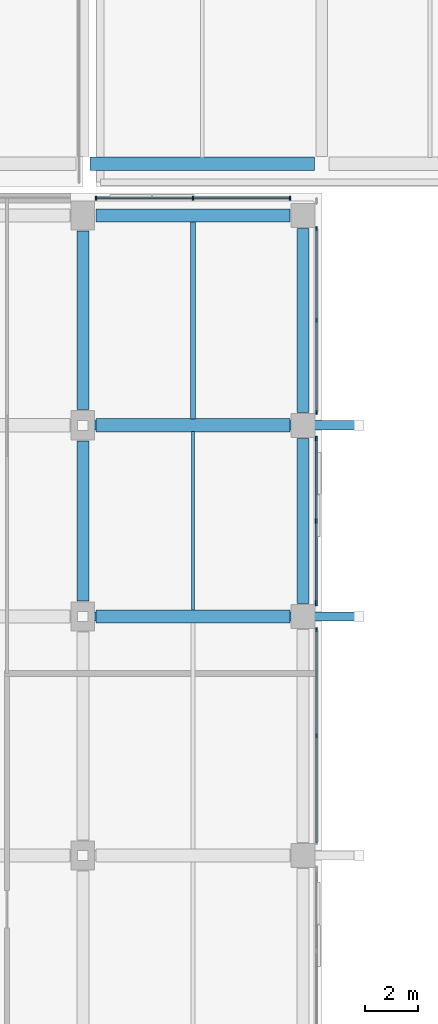
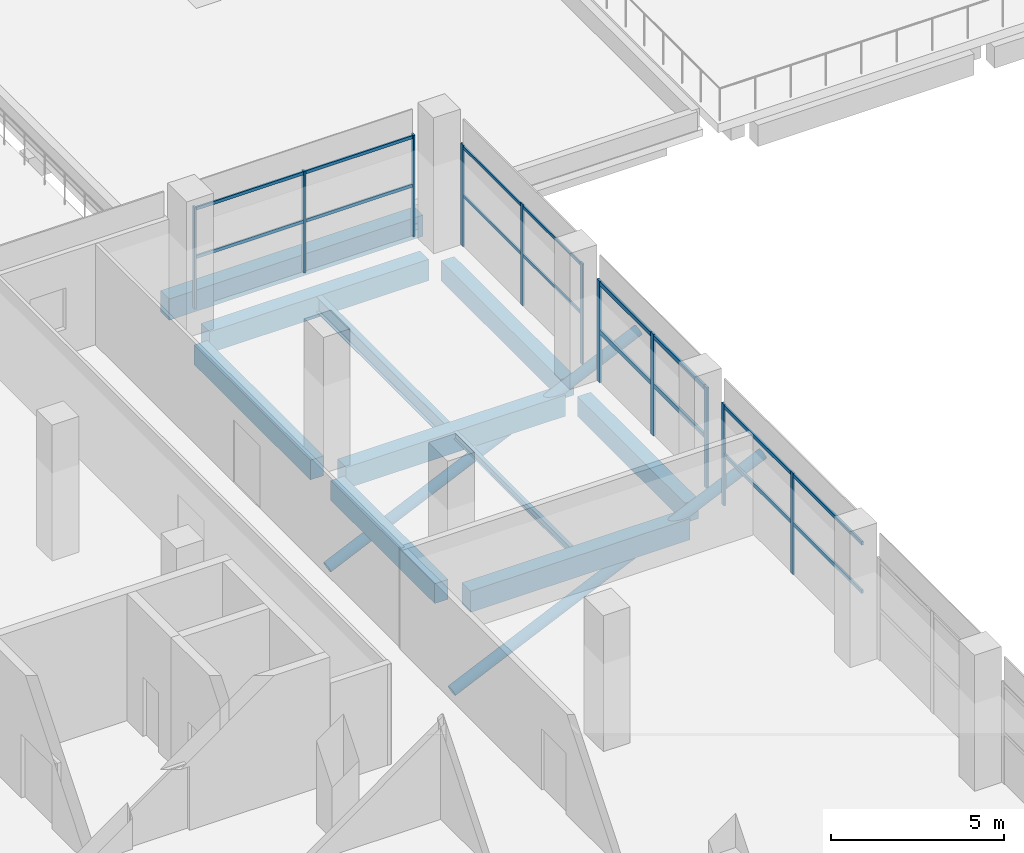
# One storey, part 22 of 82: 21 members, 10 beams, 4 elements without a shape of their own.
"""IFC4 building model written with IfcOpenShell, lengths in metres."""

from ifc_helpers import new_model, si_unit, direction, frame, origin, origin_2d, place, context, subcontext, project, spatial, rectangle, hollow_circle, i_section, extrude, material, material_profile, profile_set, type_object, element, aggregate, save


model = new_model("IFC4")

# Units and contexts
model_context = context("Model", 3, precision=1e-05, world=origin(), true_north=direction((0.0, 1.0)))
body_context = subcontext(model_context, "Body", "Model", "MODEL_VIEW")
ifc_project = project(units=[si_unit("LENGTHUNIT", "METRE"), si_unit("AREAUNIT", "SQUARE_METRE"), si_unit("VOLUMEUNIT", "CUBIC_METRE"), si_unit("PLANEANGLEUNIT", "RADIAN"), si_unit("MASSUNIT", "GRAM", prefix="KILO"), si_unit("THERMODYNAMICTEMPERATUREUNIT", "KELVIN"), si_unit("POWERUNIT", "WATT")], contexts=[model_context])

# Site, building, storey
site_placement = place(None, origin())
site = spatial("IfcSite", under=ifc_project, at=site_placement, CompositionType="ELEMENT")
building_placement = place(site_placement, origin())
building = spatial("IfcBuilding", under=site, at=building_placement, Name="Sindhuravela Promenade Stadium", CompositionType="ELEMENT")
storey_placement = place(building_placement, frame((0.0, 0.0, 14.39990234375)))
storey = spatial("IfcBuildingStorey", under=building, at=storey_placement, Name="L03", CompositionType="ELEMENT", Elevation=14.39990234375)

# Curtain wall, members
ifc_material_1 = material(Name="Anodised architectural aluminium 6063-T6", Category="aluminium")
curtain_wall_type_1 = type_object("IfcCurtainWallType", Name="CW-MOD-5", PredefinedType="NOTDEFINED", material=ifc_material_1)
curtain_wall_1_placement = place(storey_placement, origin())
curtain_wall_1 = element("IfcCurtainWall", 1, at=curtain_wall_1_placement, inside=storey, type_object=curtain_wall_type_1, Name="Bronze curtain wall CW-WEST-L03-036", PredefinedType="NOTDEFINED")
ifc_material_profile_1 = material_profile(ifc_material_1, rectangle(XDim=0.074951171875, YDim=0.175048828125, at=origin_2d()), Name="ALU MULL 75x175")
ifc_profile_set_1 = profile_set([ifc_material_profile_1], Name="Anodised architectural aluminium 6063-T6")
member_type_1 = type_object("IfcMemberType", Name="CW-MUL-1", PredefinedType="MULLION", material=ifc_profile_set_1)
member_1_placement = place(storey_placement, frame((44.800048828125, 116.5, 0.0), z_axis=(0.0, 0.0, 1.0), x_axis=(1.0, 0.0, 0.0)))
member_1 = element("IfcMember", 2, at=member_1_placement, type_object=member_type_1, Name="Curtain wall mullion CW-WEST-L03-036-M1", PredefinedType="MULLION", context=body_context, shape_type="SweptSolid", body=[
    extrude(rectangle(XDim=0.074951171875, YDim=0.175048828125, at=origin_2d()), origin(), (0.0, 0.0, 1.0), 3.580078125),
])
member_2_placement = place(storey_placement, frame((44.800048828125, 113.39990234375, 0.0), z_axis=(0.0, 0.0, 1.0), x_axis=(1.0, 0.0, 0.0)))
member_2 = element("IfcMember", 3, at=member_2_placement, type_object=member_type_1, Name="Curtain wall mullion CW-WEST-L03-036-M2", PredefinedType="MULLION", context=body_context, shape_type="SweptSolid", body=[
    extrude(rectangle(XDim=0.074951171875, YDim=0.175048828125, at=origin_2d()), origin(), (0.0, 0.0, 1.0), 3.580078125),
])
member_3_placement = place(storey_placement, frame((44.800048828125, 110.300048828125, 0.0), z_axis=(0.0, 0.0, 1.0), x_axis=(1.0, 0.0, 0.0)))
member_3 = element("IfcMember", 4, at=member_3_placement, type_object=member_type_1, Name="Curtain wall mullion CW-WEST-L03-036-M3", PredefinedType="MULLION", context=body_context, shape_type="SweptSolid", body=[
    extrude(rectangle(XDim=0.074951171875, YDim=0.175048828125, at=origin_2d()), origin(), (0.0, 0.0, 1.0), 3.580078125),
])

curtain_wall_type_2 = type_object("IfcCurtainWallType", Name="CW-MOD-6", PredefinedType="NOTDEFINED", material=ifc_material_1)
curtain_wall_2_placement = place(storey_placement, origin())
curtain_wall_2 = element("IfcCurtainWall", 5, at=curtain_wall_2_placement, inside=storey, type_object=curtain_wall_type_2, Name="Bronze curtain wall CW-WEST-L03-037", PredefinedType="NOTDEFINED")
ifc_material_profile_2 = material_profile(ifc_material_1, rectangle(XDim=0.06494140625, YDim=0.14990234375, at=origin_2d()), Name="ALU MULL 65x150")
ifc_profile_set_2 = profile_set([ifc_material_profile_2], Name="Anodised architectural aluminium 6063-T6")
member_type_2 = type_object("IfcMemberType", Name="CW-MUL-2", PredefinedType="MULLION", material=ifc_profile_set_2)
member_4_placement = place(storey_placement, frame((44.800048828125, 109.300048828125, 0.0), z_axis=(0.0, 0.0, 1.0), x_axis=(1.0, 0.0, 0.0)))
member_4 = element("IfcMember", 6, at=member_4_placement, type_object=member_type_2, Name="Curtain wall mullion CW-WEST-L03-037-M1", PredefinedType="MULLION", context=body_context, shape_type="SweptSolid", body=[
    extrude(rectangle(XDim=0.06494140625, YDim=0.14990234375, at=origin_2d()), origin(), (0.0, 0.0, 1.0), 3.580078125),
])
member_5_placement = place(storey_placement, frame((44.800048828125, 105.300048828125, 0.0), z_axis=(0.0, 0.0, 1.0), x_axis=(1.0, 0.0, 0.0)))
member_5 = element("IfcMember", 7, at=member_5_placement, type_object=member_type_2, Name="Curtain wall mullion CW-WEST-L03-037-M2", PredefinedType="MULLION", context=body_context, shape_type="SweptSolid", body=[
    extrude(rectangle(XDim=0.06494140625, YDim=0.14990234375, at=origin_2d()), origin(), (0.0, 0.0, 1.0), 3.580078125),
])

curtain_wall_type_3 = type_object("IfcCurtainWallType", Name="CW-MOD-3", PredefinedType="NOTDEFINED", material=ifc_material_1)
curtain_wall_3_placement = place(storey_placement, origin())
curtain_wall_3 = element("IfcCurtainWall", 8, at=curtain_wall_3_placement, inside=storey, type_object=curtain_wall_type_3, Name="Bronze curtain wall CW-WEST-L03-034", PredefinedType="NOTDEFINED")
ifc_material_profile_3 = material_profile(ifc_material_1, rectangle(XDim=0.06005859375, YDim=0.139892578125, at=origin_2d()), Name="ALU M60x140")
ifc_profile_set_3 = profile_set([ifc_material_profile_3], Name="Anodised architectural aluminium 6063-T6")
member_type_3 = type_object("IfcMemberType", Name="CW-MUL-5", PredefinedType="MULLION", material=ifc_profile_set_3)
member_6_placement = place(storey_placement, frame((36.5, 125.550048828125, 0.0), z_axis=(0.0, 0.0, 1.0), x_axis=(1.0, 0.0, 0.0)))
member_6 = element("IfcMember", 9, at=member_6_placement, type_object=member_type_3, Name="Curtain wall mullion CW-WEST-L03-034-M1", PredefinedType="MULLION", context=body_context, shape_type="SweptSolid", body=[
    extrude(rectangle(XDim=0.06005859375, YDim=0.139892578125, at=origin_2d()), origin(), (0.0, 0.0, 1.0), 3.580078125),
])
member_7_placement = place(storey_placement, frame((40.14990234375, 125.550048828125, 0.0), z_axis=(0.0, 0.0, 1.0), x_axis=(1.0, 0.0, 0.0)))
member_7 = element("IfcMember", 10, at=member_7_placement, type_object=member_type_3, Name="Curtain wall mullion CW-WEST-L03-034-M2", PredefinedType="MULLION", context=body_context, shape_type="SweptSolid", body=[
    extrude(rectangle(XDim=0.06005859375, YDim=0.139892578125, at=origin_2d()), origin(), (0.0, 0.0, 1.0), 3.580078125),
])
member_8_placement = place(storey_placement, frame((43.800048828125, 125.550048828125, 0.0), z_axis=(0.0, 0.0, 1.0), x_axis=(1.0, 0.0, 0.0)))
member_8 = element("IfcMember", 11, at=member_8_placement, type_object=member_type_3, Name="Curtain wall mullion CW-WEST-L03-034-M3", PredefinedType="MULLION", context=body_context, shape_type="SweptSolid", body=[
    extrude(rectangle(XDim=0.06005859375, YDim=0.139892578125, at=origin_2d()), origin(), (0.0, 0.0, 1.0), 3.580078125),
])

curtain_wall_type_4 = type_object("IfcCurtainWallType", Name="CW-MOD-4", PredefinedType="NOTDEFINED", material=ifc_material_1)
curtain_wall_4_placement = place(storey_placement, origin())
curtain_wall_4 = element("IfcCurtainWall", 12, at=curtain_wall_4_placement, inside=storey, type_object=curtain_wall_type_4, Name="Bronze curtain wall CW-WEST-L03-035", PredefinedType="NOTDEFINED")
ifc_material_profile_4 = material_profile(ifc_material_1, rectangle(XDim=0.054931640625, YDim=0.14990234375, at=origin_2d()), Name="ALU M55x150")
ifc_profile_set_4 = profile_set([ifc_material_profile_4], Name="Anodised architectural aluminium 6063-T6")
member_type_4 = type_object("IfcMemberType", Name="CW-MUL-6", PredefinedType="MULLION", material=ifc_profile_set_4)
member_9_placement = place(storey_placement, frame((44.800048828125, 124.39990234375, 0.0), z_axis=(0.0, 0.0, 1.0), x_axis=(1.0, 0.0, 0.0)))
member_9 = element("IfcMember", 13, at=member_9_placement, type_object=member_type_4, Name="Curtain wall mullion CW-WEST-L03-035-M1", PredefinedType="MULLION", context=body_context, shape_type="SweptSolid", body=[
    extrude(rectangle(XDim=0.054931640625, YDim=0.14990234375, at=origin_2d()), origin(), (0.0, 0.0, 1.0), 3.580078125),
])
member_10_placement = place(storey_placement, frame((44.800048828125, 120.949951171875, 0.0), z_axis=(0.0, 0.0, 1.0), x_axis=(1.0, 0.0, 0.0)))
member_10 = element("IfcMember", 14, at=member_10_placement, type_object=member_type_4, Name="Curtain wall mullion CW-WEST-L03-035-M2", PredefinedType="MULLION", context=body_context, shape_type="SweptSolid", body=[
    extrude(rectangle(XDim=0.054931640625, YDim=0.14990234375, at=origin_2d()), origin(), (0.0, 0.0, 1.0), 3.580078125),
])
member_11_placement = place(storey_placement, frame((44.800048828125, 117.5, 0.0), z_axis=(0.0, 0.0, 1.0), x_axis=(1.0, 0.0, 0.0)))
member_11 = element("IfcMember", 15, at=member_11_placement, type_object=member_type_4, Name="Curtain wall mullion CW-WEST-L03-035-M3", PredefinedType="MULLION", context=body_context, shape_type="SweptSolid", body=[
    extrude(rectangle(XDim=0.054931640625, YDim=0.14990234375, at=origin_2d()), origin(), (0.0, 0.0, 1.0), 3.580078125),
])

# Member
ifc_material_profile_5 = material_profile(ifc_material_1, rectangle(XDim=0.074951171875, YDim=0.14990234375, at=origin_2d()), Name="ALU TRAN 75x150")
ifc_profile_set_5 = profile_set([ifc_material_profile_5], Name="Anodised architectural aluminium 6063-T6")
member_type_5 = type_object("IfcMemberType", Name="CW-TRN-1", PredefinedType="USERDEFINED", material=ifc_profile_set_5)
member_12_placement = place(storey_placement, frame((44.800048828125, 116.52490234375, 1.7900390625), z_axis=(0.0, -1.0, 0.0), x_axis=(1.0, 0.0, 0.0)))
member_12 = element("IfcMember", 16, at=member_12_placement, type_object=member_type_5, Name="Curtain wall transom CW-WEST-L03-036-T1", ObjectType="TRANSOM", PredefinedType="USERDEFINED", context=body_context, shape_type="SweptSolid", body=[
    extrude(rectangle(XDim=0.074951171875, YDim=0.14990234375, at=origin_2d()), origin(), (0.0, 0.0, 1.0), 6.25),
])

member_13_placement = place(storey_placement, frame((44.800048828125, 116.52490234375, 3.5), z_axis=(0.0, -1.0, 0.0), x_axis=(1.0, 0.0, 0.0)))
member_13 = element("IfcMember", 17, at=member_13_placement, type_object=member_type_5, Name="Curtain wall transom CW-WEST-L03-036-T2", ObjectType="TRANSOM", PredefinedType="USERDEFINED", context=body_context, shape_type="SweptSolid", body=[
    extrude(rectangle(XDim=0.074951171875, YDim=0.14990234375, at=origin_2d()), origin(), (0.0, 0.0, 1.0), 6.25),
])

aggregate(curtain_wall_1, [member_1, member_2, member_3, member_12, member_13])

ifc_material_profile_6 = material_profile(ifc_material_1, rectangle(XDim=0.06494140625, YDim=0.125, at=origin_2d()), Name="ALU TRAN 65x125")
ifc_profile_set_6 = profile_set([ifc_material_profile_6], Name="Anodised architectural aluminium 6063-T6")
member_type_6 = type_object("IfcMemberType", Name="CW-TRN-2", PredefinedType="USERDEFINED", material=ifc_profile_set_6)
member_14_placement = place(storey_placement, frame((44.800048828125, 109.324951171875, 1.7900390625), z_axis=(0.0, -1.0, 0.0), x_axis=(1.0, 0.0, 0.0)))
member_14 = element("IfcMember", 18, at=member_14_placement, type_object=member_type_6, Name="Curtain wall transom CW-WEST-L03-037-T1", ObjectType="TRANSOM", PredefinedType="USERDEFINED", context=body_context, shape_type="SweptSolid", body=[
    extrude(rectangle(XDim=0.06494140625, YDim=0.125, at=origin_2d()), origin(), (0.0, 0.0, 1.0), 8.050048828125),
])

member_15_placement = place(storey_placement, frame((44.800048828125, 109.324951171875, 3.5), z_axis=(0.0, -1.0, 0.0), x_axis=(1.0, 0.0, 0.0)))
member_15 = element("IfcMember", 19, at=member_15_placement, type_object=member_type_6, Name="Curtain wall transom CW-WEST-L03-037-T2", ObjectType="TRANSOM", PredefinedType="USERDEFINED", context=body_context, shape_type="SweptSolid", body=[
    extrude(rectangle(XDim=0.06494140625, YDim=0.125, at=origin_2d()), origin(), (0.0, 0.0, 1.0), 8.050048828125),
])

aggregate(curtain_wall_2, [member_4, member_5, member_14, member_15])

ifc_material_profile_7 = material_profile(ifc_material_1, rectangle(XDim=0.06005859375, YDim=0.110107421875, at=origin_2d()), Name="ALU T60x110")
ifc_profile_set_7 = profile_set([ifc_material_profile_7], Name="Anodised architectural aluminium 6063-T6")
member_type_7 = type_object("IfcMemberType", Name="CW-TRN-5", PredefinedType="USERDEFINED", material=ifc_profile_set_7)
member_16_placement = place(storey_placement, frame((36.47509765625, 125.550048828125, 1.7900390625), z_axis=(1.0, 0.0, 0.0), x_axis=(0.0, 1.0, 0.0)))
member_16 = element("IfcMember", 20, at=member_16_placement, type_object=member_type_7, Name="Curtain wall transom CW-WEST-L03-034-T1", ObjectType="TRANSOM", PredefinedType="USERDEFINED", context=body_context, shape_type="SweptSolid", body=[
    extrude(rectangle(XDim=0.06005859375, YDim=0.110107421875, at=origin_2d()), origin(), (0.0, 0.0, 1.0), 7.349853515625),
])

member_17_placement = place(storey_placement, frame((36.47509765625, 125.550048828125, 3.5), z_axis=(1.0, 0.0, 0.0), x_axis=(0.0, 1.0, 0.0)))
member_17 = element("IfcMember", 21, at=member_17_placement, type_object=member_type_7, Name="Curtain wall transom CW-WEST-L03-034-T2", ObjectType="TRANSOM", PredefinedType="USERDEFINED", context=body_context, shape_type="SweptSolid", body=[
    extrude(rectangle(XDim=0.06005859375, YDim=0.110107421875, at=origin_2d()), origin(), (0.0, 0.0, 1.0), 7.349853515625),
])

aggregate(curtain_wall_3, [member_6, member_7, member_8, member_16, member_17])

ifc_material_profile_8 = material_profile(ifc_material_1, rectangle(XDim=0.054931640625, YDim=0.10498046875, at=origin_2d()), Name="ALU T55x105")
ifc_profile_set_8 = profile_set([ifc_material_profile_8], Name="Anodised architectural aluminium 6063-T6")
member_type_8 = type_object("IfcMemberType", Name="CW-TRN-6", PredefinedType="USERDEFINED", material=ifc_profile_set_8)
member_18_placement = place(storey_placement, frame((44.800048828125, 124.425048828125, 1.7900390625), z_axis=(0.0, -1.0, 0.0), x_axis=(1.0, 0.0, 0.0)))
member_18 = element("IfcMember", 22, at=member_18_placement, type_object=member_type_8, Name="Curtain wall transom CW-WEST-L03-035-T1", ObjectType="TRANSOM", PredefinedType="USERDEFINED", context=body_context, shape_type="SweptSolid", body=[
    extrude(rectangle(XDim=0.054931640625, YDim=0.10498046875, at=origin_2d()), origin(), (0.0, 0.0, 1.0), 6.949951171875),
])

member_19_placement = place(storey_placement, frame((44.800048828125, 124.425048828125, 3.5), z_axis=(0.0, -1.0, 0.0), x_axis=(1.0, 0.0, 0.0)))
member_19 = element("IfcMember", 23, at=member_19_placement, type_object=member_type_8, Name="Curtain wall transom CW-WEST-L03-035-T2", ObjectType="TRANSOM", PredefinedType="USERDEFINED", context=body_context, shape_type="SweptSolid", body=[
    extrude(rectangle(XDim=0.054931640625, YDim=0.10498046875, at=origin_2d()), origin(), (0.0, 0.0, 1.0), 6.949951171875),
])

aggregate(curtain_wall_4, [member_9, member_10, member_11, member_18, member_19])

# Beams
ifc_material_2 = material(Name="Concrete M40", Category="concrete")
ifc_material_profile_9 = material_profile(ifc_material_2, rectangle(XDim=0.449951171875, YDim=0.699951171875, at=origin_2d()), Name="RC 450x700")
ifc_profile_set_9 = profile_set([ifc_material_profile_9], Name="Concrete M40")
beam_type_1 = type_object("IfcBeamType", Name="RC-BM-450x700", PredefinedType="BEAM", material=ifc_profile_set_9)
beam_1_placement = place(storey_placement, frame((36.0, 110.389892578125, -0.64990234375), z_axis=(0.0, 1.0, 0.0), x_axis=(-1.0, 0.0, 0.0)))
element("IfcBeam", 24, at=beam_1_placement, inside=storey, type_object=beam_type_1, Name="Primary beam GB07 WEST L03", PredefinedType="BEAM", context=body_context, shape_type="SweptSolid", body=[
    extrude(rectangle(XDim=0.449951171875, YDim=0.699951171875, at=origin_2d()), origin(), (0.0, 0.0, 1.0), 6.02001953125),
])
beam_2_placement = place(storey_placement, frame((36.0, 117.590087890625, -0.64990234375), z_axis=(0.0, 1.0, 0.0), x_axis=(-1.0, 0.0, 0.0)))
element("IfcBeam", 25, at=beam_2_placement, inside=storey, type_object=beam_type_1, Name="Primary beam GB07 WEST L03", PredefinedType="BEAM", context=body_context, shape_type="SweptSolid", body=[
    extrude(rectangle(XDim=0.449951171875, YDim=0.699951171875, at=origin_2d()), origin(), (0.0, 0.0, 1.0), 6.719970703125),
])
beam_3_placement = place(storey_placement, frame((44.300048828125, 110.2900390625, -0.64990234375), z_axis=(0.0, 1.0, 0.0), x_axis=(-1.0, 0.0, 0.0)))
element("IfcBeam", 26, at=beam_3_placement, inside=storey, type_object=beam_type_1, Name="Primary beam GB07 WEST L03", PredefinedType="BEAM", context=body_context, shape_type="SweptSolid", body=[
    extrude(rectangle(XDim=0.449951171875, YDim=0.699951171875, at=origin_2d()), origin(), (0.0, 0.0, 1.0), 6.219970703125),
])
beam_4_placement = place(storey_placement, frame((44.300048828125, 117.489990234375, -0.64990234375), z_axis=(0.0, 1.0, 0.0), x_axis=(-1.0, 0.0, 0.0)))
element("IfcBeam", 27, at=beam_4_placement, inside=storey, type_object=beam_type_1, Name="Primary beam GB07 WEST L03", PredefinedType="BEAM", context=body_context, shape_type="SweptSolid", body=[
    extrude(rectangle(XDim=0.449951171875, YDim=0.699951171875, at=origin_2d()), origin(), (0.0, 0.0, 1.0), 6.919921875),
])
ifc_material_profile_10 = material_profile(ifc_material_2, rectangle(XDim=0.5, YDim=0.75, at=origin_2d()), Name="RC 500x750")
ifc_profile_set_10 = profile_set([ifc_material_profile_10], Name="Concrete M40")
beam_type_2 = type_object("IfcBeamType", Name="RC-BM-500x750", PredefinedType="BEAM", material=ifc_profile_set_10)
for number, where, z_axis, x_axis, name in (
    (28, (36.489990234375, 109.800048828125, -0.6748046875), (1.0, 0.0, 0.0), (0.0, 1.0, 0.0), "Primary girder GB06 WEST L03"),
    (29, (36.489990234375, 117.0, -0.6748046875), (1.0, 0.0, 0.0), (0.0, 1.0, 0.0), "Primary girder GB06 WEST L03"),
    (30, (36.489990234375, 124.89990234375, -0.6748046875), (1.0, 0.0, 0.0), (0.0, 1.0, 0.0), "Primary girder GB06 WEST L03"),
):
    element("IfcBeam", number, at=place(storey_placement, frame(where, z_axis=z_axis, x_axis=x_axis)), inside=storey, type_object=beam_type_2, Name=name, PredefinedType="BEAM", context=body_context, shape_type="SweptSolid", body=[
        extrude(rectangle(XDim=0.5, YDim=0.75, at=origin_2d()), origin(), (0.0, 0.0, 1.0), 7.320068359375),
    ])
beam_5_placement = place(storey_placement, frame((36.264892578125, 126.85009765625, -0.619873046875), z_axis=(1.0, 0.0, 0.0), x_axis=(0.0, 1.0, 0.0)))
element("IfcBeam", 31, at=beam_5_placement, inside=storey, type_object=beam_type_2, Name="Primary girder GB06 Pavilion NW L03", PredefinedType="BEAM", context=body_context, shape_type="SweptSolid", body=[
    extrude(rectangle(XDim=0.5, YDim=0.75, at=origin_2d()), origin(), (0.0, 0.0, 1.0), 8.47021484375),
])
ifc_material_3 = material(Name="Steel E350 (IS 2062 E350BR)", Category="steel")
ifc_material_profile_11 = material_profile(ifc_material_3, i_section(OverallWidth=0.125, OverallDepth=0.25, WebThickness=0.0068359375, FlangeThickness=0.012451171875, FilletRadius=0.012939453125, at=origin_2d()), Name="ISMB 250")
ifc_profile_set_11 = profile_set([ifc_material_profile_11], Name="Steel E350 (IS 2062 E350BR)")
beam_type_3 = type_object("IfcBeamType", Name="ST-BM-MB250", PredefinedType="JOIST", material=ifc_profile_set_11)
beam_6_placement = place(storey_placement, frame((40.14990234375, 110.0400390625, -0.4248046875), z_axis=(0.0, 1.0, 0.0), x_axis=(-1.0, 0.0, 0.0)))
element("IfcBeam", 32, at=beam_6_placement, inside=storey, type_object=beam_type_3, Name="Secondary floor joist SB02 WEST L03", PredefinedType="JOIST", context=body_context, shape_type="SweptSolid", body=[
    extrude(i_section(OverallWidth=0.125, OverallDepth=0.25, WebThickness=0.0068359375, FlangeThickness=0.012451171875, FilletRadius=0.012939453125, at=origin_2d()), origin(), (0.0, 0.0, 1.0), 6.719970703125),
])
ifc_material_profile_12 = material_profile(ifc_material_3, i_section(OverallWidth=0.18994140625, OverallDepth=0.550048828125, WebThickness=0.01123046875, FlangeThickness=0.019287109375, FilletRadius=0.01806640625, at=origin_2d()), Name="ISMB 550")
ifc_profile_set_12 = profile_set([ifc_material_profile_12], Name="Steel E350 (IS 2062 E350BR)")
beam_type_4 = type_object("IfcBeamType", Name="ST-BM-MB550", PredefinedType="SPANDREL", material=ifc_profile_set_12)
beam_7_placement = place(storey_placement, frame((40.14990234375, 117.239990234375, -0.574951171875), z_axis=(0.0, 1.0, 0.0), x_axis=(-1.0, 0.0, 0.0)))
element("IfcBeam", 33, at=beam_7_placement, inside=storey, type_object=beam_type_4, Name="Secondary floor joist SB08 WEST L03", PredefinedType="SPANDREL", context=body_context, shape_type="SweptSolid", body=[
    extrude(i_section(OverallWidth=0.18994140625, OverallDepth=0.550048828125, WebThickness=0.01123046875, FlangeThickness=0.019287109375, FilletRadius=0.01806640625, at=origin_2d()), origin(), (0.0, 0.0, 1.0), 7.419921875),
])

# Members
ifc_material_profile_13 = material_profile(ifc_material_3, hollow_circle(Radius=0.177734375, WallThickness=0.011962890625, at=origin_2d()), Name="CHS 355.6x12")
ifc_profile_set_13 = profile_set([ifc_material_profile_13], Name="Steel E350 (IS 2062 E350BR)")
member_type_9 = type_object("IfcMemberType", Name="ST-MB-CHS356", PredefinedType="STRUT", material=ifc_profile_set_13)
for number, where, z_axis, x_axis, name in (
    (34, (36.0, 109.800048828125, -3.7998046875), (0.9096146847750655, 0.0, 0.41545291579378546), (0.0, 1.0, 0.0), "Upper raker prop strut MS02 STRUT-T2-W-067"),
    (35, (36.0, 117.0, -3.7998046875), (0.9096146847750655, 0.0, 0.41545291579378546), (0.0, 1.0, 0.0), "Upper raker prop strut MS02 STRUT-T2-W-069"),
):
    element("IfcMember", number, at=place(storey_placement, frame(where, z_axis=z_axis, x_axis=x_axis)), inside=storey, type_object=member_type_9, Name=name, PredefinedType="STRUT", context=body_context, shape_type="SweptSolid", body=[
        extrude(hollow_circle(Radius=0.177734375, WallThickness=0.011962890625, at=origin_2d()), origin(), (0.0, 0.0, 1.0), 11.433349609375),
    ])

save(model, "model.ifc")
